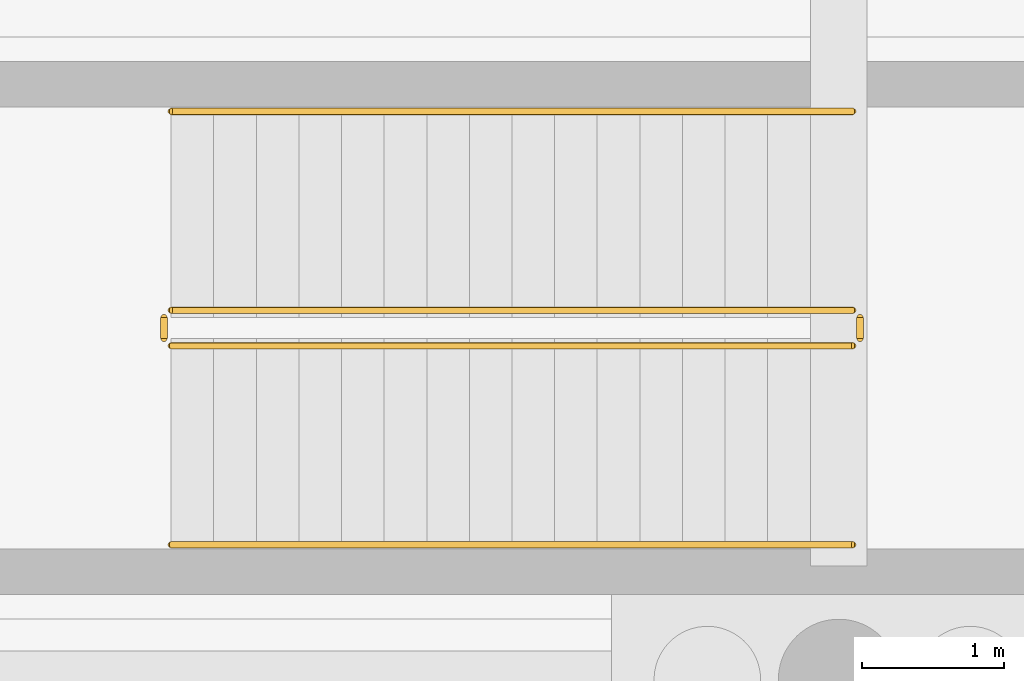
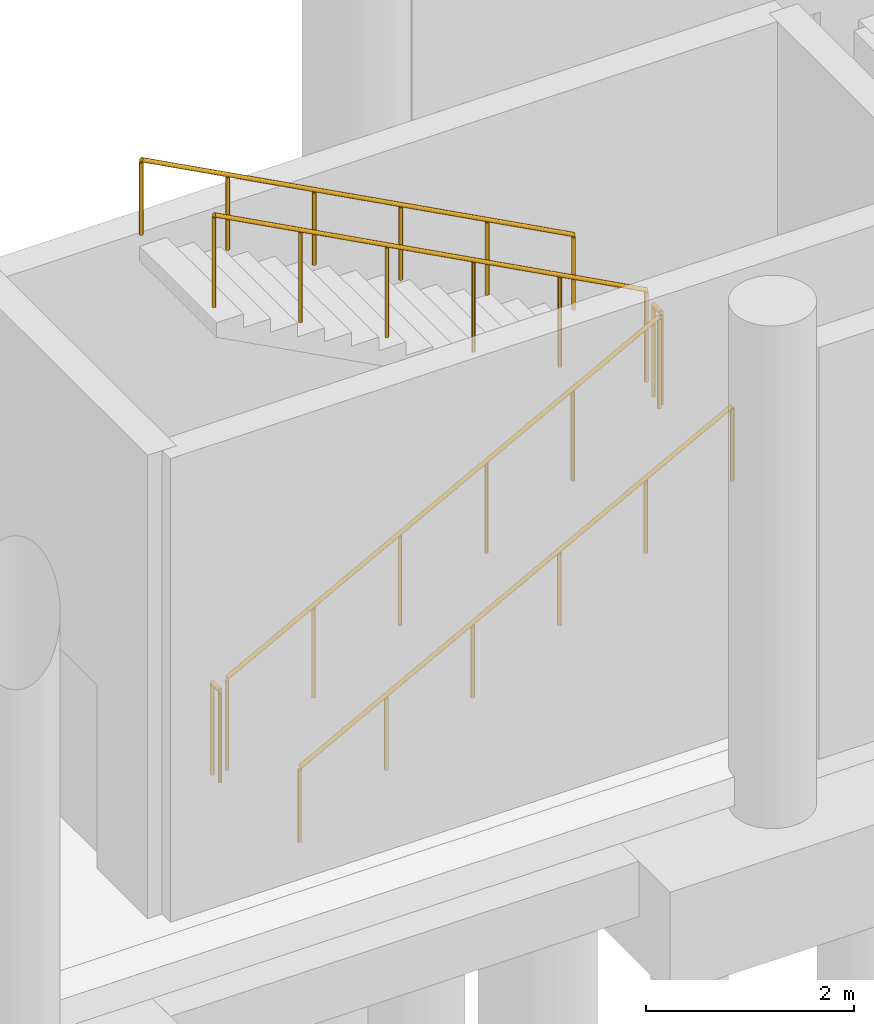
# One storey, part 82 of 83: 6 railings.
"""IFC4 building model written with IfcOpenShell, lengths in metres."""

from ifc_helpers import new_model, si_unit, direction, frame, origin, origin_2d, place, context, subcontext, project, spatial, circle, extrude, material, type_object, element, save


model = new_model("IFC4")

# Units and contexts
model_context = context("Model", 3, precision=1e-05, world=origin(), true_north=direction((0.0, 1.0)))
body_context = subcontext(model_context, "Body", "Model", "MODEL_VIEW")
ifc_project = project(units=[si_unit("LENGTHUNIT", "METRE"), si_unit("AREAUNIT", "SQUARE_METRE"), si_unit("VOLUMEUNIT", "CUBIC_METRE"), si_unit("PLANEANGLEUNIT", "RADIAN"), si_unit("MASSUNIT", "GRAM", prefix="KILO"), si_unit("THERMODYNAMICTEMPERATUREUNIT", "KELVIN"), si_unit("POWERUNIT", "WATT")], contexts=[model_context])

# Site, building, storey
site_placement = place(None, origin())
site = spatial("IfcSite", under=ifc_project, at=site_placement, CompositionType="ELEMENT")
building_placement = place(site_placement, origin())
building = spatial("IfcBuilding", under=site, at=building_placement, Name="Mavoryth Pier Ferry Terminal", CompositionType="ELEMENT")
storey_placement = place(building_placement, origin())
storey = spatial("IfcBuildingStorey", under=building, at=storey_placement, Name="L00", CompositionType="ELEMENT", Elevation=0.0)

# Railings
ifc_material_1 = material(Name="Painted Galvanised Steel Balustrade", Category="steel")
railing_type_1 = type_object("IfcRailingType", Name="Guard-Stair-Steel1100", PredefinedType="GUARDRAIL", material=ifc_material_1)
railing_1_placement = place(storey_placement, frame((129.699951171875, 108.35009765625, 0.159912109375)))
element("IfcRailing", 1, at=railing_1_placement, inside=storey, type_object=railing_type_1, Name="L00 ST07 stair guard 1", PredefinedType="GUARDRAIL", context=body_context, shape_type="SweptSolid", body=[
    extrude(circle(Radius=0.02392578125, at=origin_2d()), frame((0.0, 0.0, 1.076171875), z_axis=(0.882350456557, 0.0, 0.470592893925), x_axis=(0.0, 1.0, 0.0)), (0.0, 0.0, 1.0), 5.440185546875),
    extrude(circle(Radius=0.02099609375, at=origin_2d()), origin(), (0.0, 0.0, 1.0), 1.052001953125),
    extrude(circle(Radius=0.02099609375, at=origin_2d()), frame((0.9599609375, 0.0, 0.511962890625)), (0.0, 0.0, 1.0), 1.052001953125),
    extrude(circle(Radius=0.02099609375, at=origin_2d()), frame((1.919921875, 0.0, 1.02392578125)), (0.0, 0.0, 1.0), 1.052001953125),
    extrude(circle(Radius=0.02099609375, at=origin_2d()), frame((2.880126953125, 0.0, 1.5361328125)), (0.0, 0.0, 1.0), 1.052001953125),
    extrude(circle(Radius=0.02099609375, at=origin_2d()), frame((3.840087890625, 0.0, 2.048095703125)), (0.0, 0.0, 1.0), 1.052001953125),
    extrude(circle(Radius=0.02099609375, at=origin_2d()), frame((4.800048828125, 0.0, 2.56005859375)), (0.0, 0.0, 1.0), 1.052001953125),
])
railing_2_placement = place(storey_placement, frame((134.550048828125, 108.39990234375, 2.719970703125)))
element("IfcRailing", 2, at=railing_2_placement, inside=storey, type_object=railing_type_1, Name="L00 ST07 stair guard 2", PredefinedType="GUARDRAIL", context=body_context, shape_type="SweptSolid", body=[
    extrude(circle(Radius=0.02392578125, at=origin_2d()), frame((0.0, 0.0, 1.076171875), z_axis=(0.0, 1.0, 0.0), x_axis=(-1.0, 0.0, 0.0)), (0.0, 0.0, 1.0), 0.150146484375),
    extrude(circle(Radius=0.02099609375, at=origin_2d()), origin(), (0.0, 0.0, 1.0), 1.052001953125),
    extrude(circle(Radius=0.02099609375, at=origin_2d()), frame((0.0, 0.150146484375, 0.0)), (0.0, 0.0, 1.0), 1.052001953125),
])
railing_3_placement = place(storey_placement, frame((134.5, 108.60009765625, 2.8798828125)))
element("IfcRailing", 3, at=railing_3_placement, inside=storey, type_object=railing_type_1, Name="L00 ST07 stair guard 3", PredefinedType="GUARDRAIL", context=body_context, shape_type="SweptSolid", body=[
    extrude(circle(Radius=0.02392578125, at=origin_2d()), frame((0.0, 0.0, 1.076171875), z_axis=(-0.882350456557, 0.0, 0.470592893925), x_axis=(0.0, -1.0, 0.0)), (0.0, 0.0, 1.0), 5.440185546875),
    extrude(circle(Radius=0.02099609375, at=origin_2d()), origin(), (0.0, 0.0, 1.0), 1.052001953125),
    extrude(circle(Radius=0.02099609375, at=origin_2d()), frame((-0.9599609375, 0.0, 0.511962890625)), (0.0, 0.0, 1.0), 1.052001953125),
    extrude(circle(Radius=0.02099609375, at=origin_2d()), frame((-1.919921875, 0.0, 1.02392578125)), (0.0, 0.0, 1.0), 1.052001953125),
    extrude(circle(Radius=0.02099609375, at=origin_2d()), frame((-2.880126953125, 0.0, 1.5361328125)), (0.0, 0.0, 1.0), 1.052001953125),
    extrude(circle(Radius=0.02099609375, at=origin_2d()), frame((-3.840087890625, 0.0, 2.048095703125)), (0.0, 0.0, 1.0), 1.052001953125),
    extrude(circle(Radius=0.02099609375, at=origin_2d()), frame((-4.800048828125, 0.0, 2.56005859375)), (0.0, 0.0, 1.0), 1.052001953125),
])
railing_4_placement = place(storey_placement, frame((129.64990234375, 108.39990234375, 0.0)))
element("IfcRailing", 4, at=railing_4_placement, inside=storey, type_object=railing_type_1, Name="L00 ST07 stair guard 4", PredefinedType="GUARDRAIL", context=body_context, shape_type="SweptSolid", body=[
    extrude(circle(Radius=0.02392578125, at=origin_2d()), frame((0.0, 0.0, 1.076171875), z_axis=(0.0, 1.0, 0.0), x_axis=(-1.0, 0.0, 0.0)), (0.0, 0.0, 1.0), 0.150146484375),
    extrude(circle(Radius=0.02099609375, at=origin_2d()), origin(), (0.0, 0.0, 1.0), 1.052001953125),
    extrude(circle(Radius=0.02099609375, at=origin_2d()), frame((0.0, 0.150146484375, 0.0)), (0.0, 0.0, 1.0), 1.052001953125),
])
ifc_material_2 = material(Name="Brushed Stainless Steel Tubular Handrail", Category="steel")
railing_type_2 = type_object("IfcRailingType", Name="Handrail-Stair-SS900", PredefinedType="HANDRAIL", material=ifc_material_2)
railing_5_placement = place(storey_placement, frame((129.699951171875, 106.949951171875, 0.159912109375)))
element("IfcRailing", 5, at=railing_5_placement, inside=storey, type_object=railing_type_2, Name="L00 ST07 stair handrail 1", PredefinedType="HANDRAIL", context=body_context, shape_type="SweptSolid", body=[
    extrude(circle(Radius=0.02392578125, at=origin_2d()), frame((0.0, 0.0, 0.8759765625), z_axis=(0.882350456557, 0.0, 0.470592893925), x_axis=(0.0, 1.0, 0.0)), (0.0, 0.0, 1.0), 5.440185546875),
    extrude(circle(Radius=0.02099609375, at=origin_2d()), origin(), (0.0, 0.0, 1.0), 0.851806640625),
    extrude(circle(Radius=0.02099609375, at=origin_2d()), frame((0.9599609375, 0.0, 0.511962890625)), (0.0, 0.0, 1.0), 0.851806640625),
    extrude(circle(Radius=0.02099609375, at=origin_2d()), frame((1.919921875, 0.0, 1.02392578125)), (0.0, 0.0, 1.0), 0.851806640625),
    extrude(circle(Radius=0.02099609375, at=origin_2d()), frame((2.880126953125, 0.0, 1.5361328125)), (0.0, 0.0, 1.0), 0.851806640625),
    extrude(circle(Radius=0.02099609375, at=origin_2d()), frame((3.840087890625, 0.0, 2.048095703125)), (0.0, 0.0, 1.0), 0.851806640625),
    extrude(circle(Radius=0.02099609375, at=origin_2d()), frame((4.800048828125, 0.0, 2.56005859375)), (0.0, 0.0, 1.0), 0.851806640625),
])
railing_6_placement = place(storey_placement, frame((134.5, 110.0, 2.8798828125)))
element("IfcRailing", 6, at=railing_6_placement, inside=storey, type_object=railing_type_2, Name="L00 ST07 stair handrail 2", PredefinedType="HANDRAIL", context=body_context, shape_type="SweptSolid", body=[
    extrude(circle(Radius=0.02392578125, at=origin_2d()), frame((0.0, 0.0, 0.8759765625), z_axis=(-0.882350456557, 0.0, 0.470592893925), x_axis=(0.0, -1.0, 0.0)), (0.0, 0.0, 1.0), 5.440185546875),
    extrude(circle(Radius=0.02099609375, at=origin_2d()), origin(), (0.0, 0.0, 1.0), 0.851806640625),
    extrude(circle(Radius=0.02099609375, at=origin_2d()), frame((-0.9599609375, 0.0, 0.511962890625)), (0.0, 0.0, 1.0), 0.851806640625),
    extrude(circle(Radius=0.02099609375, at=origin_2d()), frame((-1.919921875, 0.0, 1.02392578125)), (0.0, 0.0, 1.0), 0.851806640625),
    extrude(circle(Radius=0.02099609375, at=origin_2d()), frame((-2.880126953125, 0.0, 1.5361328125)), (0.0, 0.0, 1.0), 0.851806640625),
    extrude(circle(Radius=0.02099609375, at=origin_2d()), frame((-3.840087890625, 0.0, 2.048095703125)), (0.0, 0.0, 1.0), 0.851806640625),
    extrude(circle(Radius=0.02099609375, at=origin_2d()), frame((-4.800048828125, 0.0, 2.56005859375)), (0.0, 0.0, 1.0), 0.851806640625),
])

save(model, "model.ifc")
